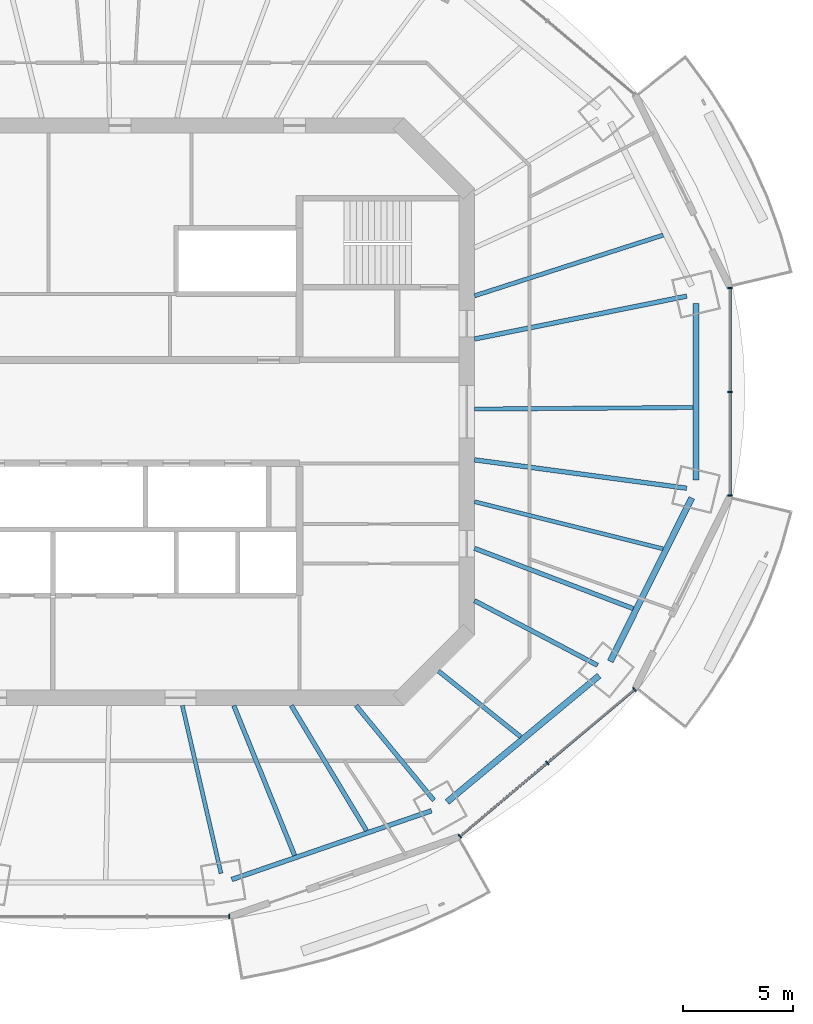
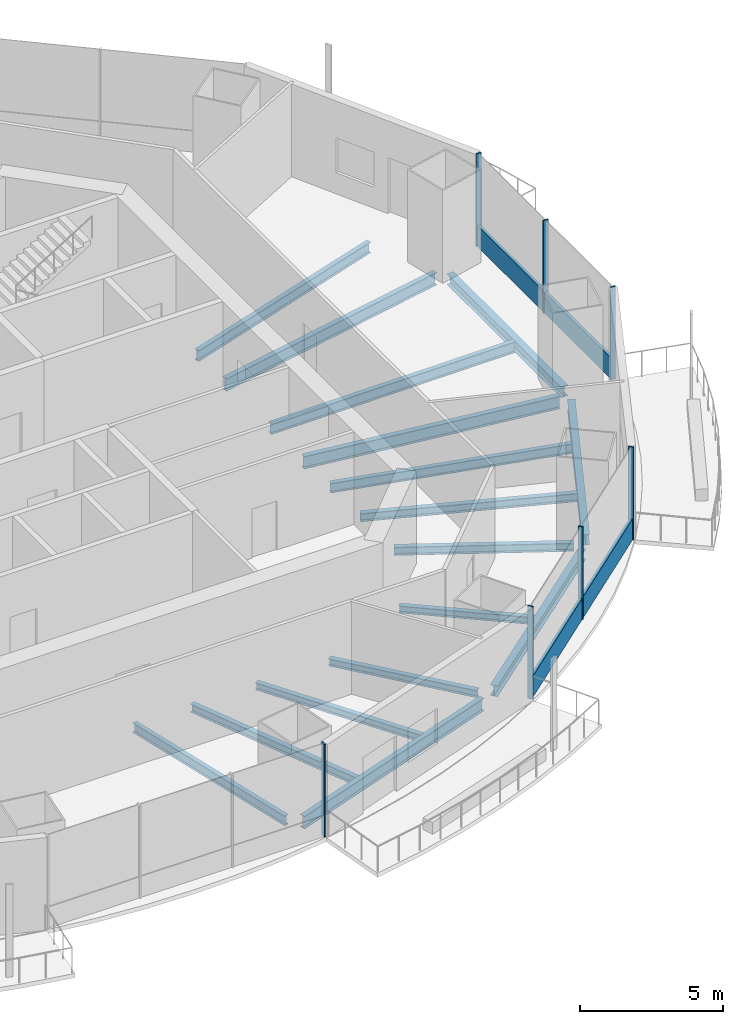
# One storey, part 4 of 16: 16 beams, 9 members, 3 elements without a shape of their own.
"""IFC4 building model written with IfcOpenShell, lengths in metres."""

from ifc_helpers import new_model, si_unit, direction, frame, origin, origin_2d, place, context, subcontext, project, spatial, rectangle, i_section, extrude, material, material_profile, profile_set, type_object, element, aggregate, save


model = new_model("IFC4")

# Units and contexts
model_context = context("Model", 3, precision=1e-05, world=origin(), true_north=direction((0.0, 1.0)))
body_context = subcontext(model_context, "Body", "Model", "MODEL_VIEW")
ifc_project = project(units=[si_unit("LENGTHUNIT", "METRE"), si_unit("AREAUNIT", "SQUARE_METRE"), si_unit("VOLUMEUNIT", "CUBIC_METRE"), si_unit("PLANEANGLEUNIT", "RADIAN"), si_unit("MASSUNIT", "GRAM", prefix="KILO")], contexts=[model_context])

# Site, building, storey
site_placement = place(None, origin())
site = spatial("IfcSite", under=ifc_project, at=site_placement, CompositionType="ELEMENT")
building_placement = place(site_placement, origin())
building = spatial("IfcBuilding", under=site, at=building_placement, Name="Marenthal Gate Tower", CompositionType="ELEMENT")
storey_placement = place(building_placement, frame((0.0, 0.0, 288.64990234375)))
storey = spatial("IfcBuildingStorey", under=building, at=storey_placement, Name="L64", CompositionType="ELEMENT", Elevation=288.64990234375)

# Curtain wall, member
ifc_material_1 = material(Name="Aluminium and glass", Category="aluminium")
curtain_wall_type = type_object("IfcCurtainWallType", Name="Curtain wall typical high", PredefinedType="NOTDEFINED", material=ifc_material_1)
curtain_wall_1_placement = place(storey_placement, origin())
curtain_wall_1 = element("IfcCurtainWall", 1, at=curtain_wall_1_placement, inside=storey, type_object=curtain_wall_type, Name="Curtain wall L64 bay 12", PredefinedType="NOTDEFINED")
ifc_material_2 = material(Name="Aluminium", Category="aluminium")
ifc_material_profile_1 = material_profile(ifc_material_2, rectangle(XDim=0.199951171875, YDim=0.06005859375, at=origin_2d()), Name="60x200 aluminium mullion")
ifc_profile_set_1 = profile_set([ifc_material_profile_1], Name="Aluminium")
member_type_1 = type_object("IfcMemberType", Name="Mullion 60x200 typical high", PredefinedType="MULLION", material=ifc_profile_set_1)
member_1_placement = place(storey_placement, frame((5.211669921875, -22.93603515625, 0.0), z_axis=(0.0, 0.0, 1.0), x_axis=(0.0, 1.0, 0.0)))
member_1 = element("IfcMember", 2, at=member_1_placement, type_object=member_type_1, Name="Mullion L64 bay 12.4", PredefinedType="MULLION", context=body_context, shape_type="SweptSolid", body=[
    extrude(rectangle(XDim=0.199951171875, YDim=0.06005859375, at=origin_2d()), origin(), (0.0, 0.0, 1.0), 3.97021484375),
])
aggregate(curtain_wall_1, [member_1])

# Curtain wall, members
curtain_wall_2_placement = place(storey_placement, origin())
curtain_wall_2 = element("IfcCurtainWall", 3, at=curtain_wall_2_placement, inside=storey, type_object=curtain_wall_type, Name="Curtain wall L64 bay 14", PredefinedType="NOTDEFINED")
member_2_placement = place(storey_placement, frame((15.68896484375, -19.287841796875, 0.0), z_axis=(0.0, 0.0, 1.0), x_axis=(-0.643380191367, 0.76554681722, 0.0)))
member_2 = element("IfcMember", 4, at=member_2_placement, type_object=member_type_1, Name="Mullion L64 bay 14.1", PredefinedType="MULLION", context=body_context, shape_type="SweptSolid", body=[
    extrude(rectangle(XDim=0.199951171875, YDim=0.06005859375, at=origin_2d()), origin(), (0.0, 0.0, 1.0), 3.97021484375),
])
member_3_placement = place(storey_placement, frame((19.6552734375, -15.95458984375, 0.0), z_axis=(0.0, 0.0, 1.0), x_axis=(-0.643380191367, 0.76554681722, 0.0)))
member_3 = element("IfcMember", 5, at=member_3_placement, type_object=member_type_1, Name="Mullion L64 bay 14.2", PredefinedType="MULLION", context=body_context, shape_type="SweptSolid", body=[
    extrude(rectangle(XDim=0.199951171875, YDim=0.06005859375, at=origin_2d()), origin(), (0.0, 0.0, 1.0), 3.97021484375),
])
member_4_placement = place(storey_placement, frame((23.621337890625, -12.621337890625, 0.0), z_axis=(0.0, 0.0, 1.0), x_axis=(-0.643380191367, 0.76554681722, 0.0)))
member_4 = element("IfcMember", 6, at=member_4_placement, type_object=member_type_1, Name="Mullion L64 bay 14.3", PredefinedType="MULLION", context=body_context, shape_type="SweptSolid", body=[
    extrude(rectangle(XDim=0.199951171875, YDim=0.06005859375, at=origin_2d()), origin(), (0.0, 0.0, 1.0), 3.97021484375),
])

curtain_wall_3_placement = place(storey_placement, origin())
curtain_wall_3 = element("IfcCurtainWall", 7, at=curtain_wall_3_placement, inside=storey, type_object=curtain_wall_type, Name="Curtain wall L64 bay 16", PredefinedType="NOTDEFINED")
member_5_placement = place(storey_placement, frame((27.96240234375, -3.811279296875, 0.0), z_axis=(0.0, 0.0, 1.0), x_axis=(-1.0, 0.0, 0.0)))
member_5 = element("IfcMember", 8, at=member_5_placement, type_object=member_type_1, Name="Mullion L64 bay 16.1", PredefinedType="MULLION", context=body_context, shape_type="SweptSolid", body=[
    extrude(rectangle(XDim=0.199951171875, YDim=0.06005859375, at=origin_2d()), origin(), (0.0, 0.0, 1.0), 3.97021484375),
])
member_6_placement = place(storey_placement, frame((27.96240234375, 0.89990234375, 0.0), z_axis=(0.0, 0.0, 1.0), x_axis=(-1.0, 0.0, 0.0)))
member_6 = element("IfcMember", 9, at=member_6_placement, type_object=member_type_1, Name="Mullion L64 bay 16.2", PredefinedType="MULLION", context=body_context, shape_type="SweptSolid", body=[
    extrude(rectangle(XDim=0.199951171875, YDim=0.06005859375, at=origin_2d()), origin(), (0.0, 0.0, 1.0), 3.97021484375),
])
member_7_placement = place(storey_placement, frame((27.96240234375, 5.611328125, 0.0), z_axis=(0.0, 0.0, 1.0), x_axis=(-1.0, 0.0, 0.0)))
member_7 = element("IfcMember", 10, at=member_7_placement, type_object=member_type_1, Name="Mullion L64 bay 16.3", PredefinedType="MULLION", context=body_context, shape_type="SweptSolid", body=[
    extrude(rectangle(XDim=0.199951171875, YDim=0.06005859375, at=origin_2d()), origin(), (0.0, 0.0, 1.0), 3.97021484375),
])

# Member
ifc_material_3 = material(Name="Aluminium", Category="aluminium")
ifc_material_profile_2 = material_profile(ifc_material_3, rectangle(XDim=0.1201171875, YDim=0.89990234375, at=origin_2d()), Name="120x900 aluminium transom")
ifc_profile_set_2 = profile_set([ifc_material_profile_2], Name="Aluminium")
member_type_2 = type_object("IfcMemberType", Name="Transom 120x900 typical high", PredefinedType="USERDEFINED", material=ifc_profile_set_2)
member_8_placement = place(storey_placement, frame((15.7119140625, -19.2685546875, 0.4501953125), z_axis=(0.765547508353, 0.643379368999, 0.0), x_axis=(-0.643379368999, 0.765547508353, 0.0)))
member_8 = element("IfcMember", 11, at=member_8_placement, type_object=member_type_2, Name="Transom L64 bay 14", ObjectType="TRANSOM", PredefinedType="USERDEFINED", context=body_context, shape_type="SweptSolid", body=[
    extrude(rectangle(XDim=0.1201171875, YDim=0.89990234375, at=origin_2d()), origin(), (0.0, 0.0, 1.0), 10.3017578125),
])

aggregate(curtain_wall_2, [member_2, member_3, member_4, member_8])

member_9_placement = place(storey_placement, frame((27.96240234375, -3.78125, 0.4501953125), z_axis=(0.0, 1.0, 0.0), x_axis=(-1.0, 0.0, 0.0)))
member_9 = element("IfcMember", 12, at=member_9_placement, type_object=member_type_2, Name="Transom L64 bay 16", ObjectType="TRANSOM", PredefinedType="USERDEFINED", context=body_context, shape_type="SweptSolid", body=[
    extrude(rectangle(XDim=0.1201171875, YDim=0.89990234375, at=origin_2d()), origin(), (0.0, 0.0, 1.0), 9.362548828125),
])

aggregate(curtain_wall_3, [member_5, member_6, member_7, member_9])

# Beams
ifc_material_4 = material(Name="Steel S355", Category="steel")
ifc_material_profile_3 = material_profile(ifc_material_4, i_section(OverallWidth=0.202880859375, OverallDepth=0.302001953125, WebThickness=0.007568359375, FlangeThickness=0.01318359375, FilletRadius=0.0126953125, at=origin_2d()), Name="W310X60")
ifc_profile_set_3 = profile_set([ifc_material_profile_3], Name="Steel S355")
beam_type_1 = type_object("IfcBeamType", Name="W310X60 beam", PredefinedType="BEAM", material=ifc_profile_set_3)
beam_1_placement = place(storey_placement, frame((18.4482421875, -14.77001953125, -0.330810546875), z_axis=(-0.780604808668, 0.625024905652, 0.0), x_axis=(-0.625024905652, -0.780604808668, 0.0)))
element("IfcBeam", 13, at=beam_1_placement, inside=storey, type_object=beam_type_1, Name="BM-L64-37", PredefinedType="BEAM", context=body_context, shape_type="SweptSolid", body=[
    extrude(i_section(OverallWidth=0.202880859375, OverallDepth=0.302001953125, WebThickness=0.007568359375, FlangeThickness=0.01318359375, FilletRadius=0.0126953125, at=origin_2d()), origin(), (0.0, 0.0, 1.0), 4.782958984375),
])
ifc_material_5 = material(Name="Steel S355", Category="steel")
ifc_material_profile_4 = material_profile(ifc_material_5, i_section(OverallWidth=0.205078125, OverallDepth=0.31005859375, WebThickness=0.009521484375, FlangeThickness=0.016357421875, FilletRadius=0.0126953125, at=origin_2d()), Name="W310X74")
ifc_profile_set_4 = profile_set([ifc_material_profile_4], Name="Steel S355")
beam_type_2 = type_object("IfcBeamType", Name="W310X74 beam", PredefinedType="BEAM", material=ifc_profile_set_4)
beam_2_placement = place(storey_placement, frame((14.508544921875, -17.6533203125, -0.3349609375), z_axis=(-0.634935690931, 0.772564992983, 0.0), x_axis=(-0.772564992983, -0.634935690931, 0.0)))
element("IfcBeam", 14, at=beam_2_placement, inside=storey, type_object=beam_type_2, Name="BM-L64-14", PredefinedType="BEAM", context=body_context, shape_type="SweptSolid", body=[
    extrude(i_section(OverallWidth=0.205078125, OverallDepth=0.31005859375, WebThickness=0.009521484375, FlangeThickness=0.016357421875, FilletRadius=0.0126953125, at=origin_2d()), origin(), (0.0, 0.0, 1.0), 5.570068359375),
])
beam_3_placement = place(storey_placement, frame((11.447509765625, -19.031494140625, -0.3349609375), z_axis=(-0.515453925401, 0.856917295186, 0.0), x_axis=(-0.856917295186, -0.515453925401, 0.0)))
element("IfcBeam", 15, at=beam_3_placement, inside=storey, type_object=beam_type_2, Name="BM-L64-36", PredefinedType="BEAM", context=body_context, shape_type="SweptSolid", body=[
    extrude(i_section(OverallWidth=0.205078125, OverallDepth=0.31005859375, WebThickness=0.009521484375, FlangeThickness=0.016357421875, FilletRadius=0.0126953125, at=origin_2d()), origin(), (0.0, 0.0, 1.0), 6.630126953125),
])
ifc_material_6 = material(Name="Steel S355", Category="steel")
ifc_material_profile_5 = material_profile(ifc_material_6, i_section(OverallWidth=0.205078125, OverallDepth=0.35302734375, WebThickness=0.009521484375, FlangeThickness=0.016845703125, FilletRadius=0.014892578125, at=origin_2d()), Name="W360X79")
ifc_profile_set_5 = profile_set([ifc_material_profile_5], Name="Steel S355")
beam_type_3 = type_object("IfcBeamType", Name="W360X79 beam", PredefinedType="BEAM", material=ifc_profile_set_5)
beam_4_placement = place(storey_placement, frame((21.938720703125, -11.518310546875, -0.3564453125), z_axis=(-0.885394321099, 0.464840721286, 0.0), x_axis=(-0.464840721286, -0.885394321099, 0.0)))
element("IfcBeam", 16, at=beam_4_placement, inside=storey, type_object=beam_type_3, Name="BM-L64-15", PredefinedType="BEAM", context=body_context, shape_type="SweptSolid", body=[
    extrude(i_section(OverallWidth=0.205078125, OverallDepth=0.35302734375, WebThickness=0.009521484375, FlangeThickness=0.016845703125, FilletRadius=0.014892578125, at=origin_2d()), origin(), (0.0, 0.0, 1.0), 6.31201171875),
])
beam_5_placement = place(storey_placement, frame((8.178466796875, -20.156982421875, -0.3564453125), z_axis=(-0.375987442767, 0.926624758401, 0.0), x_axis=(-0.926624758401, -0.375987442767, 0.0)))
element("IfcBeam", 17, at=beam_5_placement, inside=storey, type_object=beam_type_3, Name="BM-L64-35", PredefinedType="BEAM", context=body_context, shape_type="SweptSolid", body=[
    extrude(i_section(OverallWidth=0.205078125, OverallDepth=0.35302734375, WebThickness=0.009521484375, FlangeThickness=0.016845703125, FilletRadius=0.014892578125, at=origin_2d()), origin(), (0.0, 0.0, 1.0), 7.345947265625),
])
beam_6_placement = place(storey_placement, frame((23.560302734375, -8.944091796875, -0.3564453125), z_axis=(-0.934894325314, 0.354926190208, 0.0), x_axis=(-0.354926190208, -0.934894325314, 0.0)))
element("IfcBeam", 18, at=beam_6_placement, inside=storey, type_object=beam_type_3, Name="BM-L64-38", PredefinedType="BEAM", context=body_context, shape_type="SweptSolid", body=[
    extrude(i_section(OverallWidth=0.205078125, OverallDepth=0.35302734375, WebThickness=0.009521484375, FlangeThickness=0.016845703125, FilletRadius=0.014892578125, at=origin_2d()), origin(), (0.0, 0.0, 1.0), 7.71240234375),
])
ifc_material_7 = material(Name="Steel S355", Category="steel")
ifc_material_profile_6 = material_profile(ifc_material_7, i_section(OverallWidth=0.180908203125, OverallDepth=0.4169921875, WebThickness=0.010986328125, FlangeThickness=0.018310546875, FilletRadius=0.01025390625, at=origin_2d()), Name="W410X85")
ifc_profile_set_6 = profile_set([ifc_material_profile_6], Name="Steel S355")
beam_type_4 = type_object("IfcBeamType", Name="W410X85 beam", PredefinedType="BEAM", material=ifc_profile_set_6)
beam_7_placement = place(storey_placement, frame((4.83740234375, -20.970458984375, -0.388427734375), z_axis=(-0.224770586687, 0.974411711424, 0.0), x_axis=(-0.974411711424, -0.224770586687, 0.0)))
element("IfcBeam", 19, at=beam_7_placement, inside=storey, type_object=beam_type_4, Name="BM-L64-13", PredefinedType="BEAM", context=body_context, shape_type="SweptSolid", body=[
    extrude(i_section(OverallWidth=0.180908203125, OverallDepth=0.4169921875, WebThickness=0.010986328125, FlangeThickness=0.018310546875, FilletRadius=0.01025390625, at=origin_2d()), origin(), (0.0, 0.0, 1.0), 7.820556640625),
])
beam_8_placement = place(storey_placement, frame((24.91357421875, -6.228759765625, -0.388427734375), z_axis=(-0.970142500145, 0.242535625036, 0.0), x_axis=(-0.242535625036, -0.970142500145, 0.0)))
element("IfcBeam", 20, at=beam_8_placement, inside=storey, type_object=beam_type_4, Name="BM-L64-39", PredefinedType="BEAM", context=body_context, shape_type="SweptSolid", body=[
    extrude(i_section(OverallWidth=0.180908203125, OverallDepth=0.4169921875, WebThickness=0.010986328125, FlangeThickness=0.018310546875, FilletRadius=0.01025390625, at=origin_2d()), origin(), (0.0, 0.0, 1.0), 8.8271484375),
])
ifc_material_8 = material(Name="Steel S355", Category="steel")
ifc_material_profile_7 = material_profile(ifc_material_8, i_section(OverallWidth=0.279052734375, OverallDepth=0.4619140625, WebThickness=0.0107421875, FlangeThickness=0.017333984375, FilletRadius=0.010009765625, at=origin_2d()), Name="W460X113")
ifc_profile_set_7 = profile_set([ifc_material_profile_7], Name="Steel S355")
beam_type_5 = type_object("IfcBeamType", Name="W460X113 beam", PredefinedType="BEAM", material=ifc_profile_set_7)
beam_9_placement = place(storey_placement, frame((15.10791015625, -17.727783203125, -0.410888671875), z_axis=(0.769034611426, 0.639207138906, 0.0), x_axis=(-0.639207138906, 0.769034611426, 0.0)))
element("IfcBeam", 21, at=beam_9_placement, inside=storey, type_object=beam_type_5, Name="BM-L64-54", PredefinedType="BEAM", context=body_context, shape_type="SweptSolid", body=[
    extrude(i_section(OverallWidth=0.279052734375, OverallDepth=0.4619140625, WebThickness=0.0107421875, FlangeThickness=0.017333984375, FilletRadius=0.010009765625, at=origin_2d()), origin(), (0.0, 0.0, 1.0), 8.9736328125),
])
beam_10_placement = place(storey_placement, frame((22.5185546875, -11.34716796875, -0.410888671875), z_axis=(0.446025836929, 0.895020085133, 0.0), x_axis=(-0.895020085133, 0.446025836929, 0.0)))
element("IfcBeam", 22, at=beam_10_placement, inside=storey, type_object=beam_type_5, Name="BM-L64-55", PredefinedType="BEAM", context=body_context, shape_type="SweptSolid", body=[
    extrude(i_section(OverallWidth=0.279052734375, OverallDepth=0.4619140625, WebThickness=0.0107421875, FlangeThickness=0.017333984375, FilletRadius=0.010009765625, at=origin_2d()), origin(), (0.0, 0.0, 1.0), 8.306884765625),
])
beam_11_placement = place(storey_placement, frame((26.41259765625, -3.107666015625, -0.410888671875), z_axis=(0.0, 1.0, 0.0), x_axis=(-1.0, 0.0, 0.0)))
element("IfcBeam", 23, at=beam_11_placement, inside=storey, type_object=beam_type_5, Name="BM-L64-56", PredefinedType="BEAM", context=body_context, shape_type="SweptSolid", body=[
    extrude(i_section(OverallWidth=0.279052734375, OverallDepth=0.4619140625, WebThickness=0.0107421875, FlangeThickness=0.017333984375, FilletRadius=0.010009765625, at=origin_2d()), origin(), (0.0, 0.0, 1.0), 8.015380859375),
])
ifc_material_9 = material(Name="Steel S355", Category="steel")
ifc_material_profile_8 = material_profile(ifc_material_9, i_section(OverallWidth=0.193115234375, OverallDepth=0.467041015625, WebThickness=0.011474609375, FlangeThickness=0.01904296875, FilletRadius=0.010009765625, at=origin_2d()), Name="W460X97")
ifc_profile_set_8 = profile_set([ifc_material_profile_8], Name="Steel S355")
beam_type_6 = type_object("IfcBeamType", Name="W460X97 beam", PredefinedType="BEAM", material=ifc_profile_set_8)
beam_12_placement = place(storey_placement, frame((24.917724609375, 8.020263671875, -0.413330078125), z_axis=(-0.951901194781, -0.306405149068, 0.0), x_axis=(0.306405149068, -0.951901194781, 0.0)))
element("IfcBeam", 24, at=beam_12_placement, inside=storey, type_object=beam_type_6, Name="BM-L64-17", PredefinedType="BEAM", context=body_context, shape_type="SweptSolid", body=[
    extrude(i_section(OverallWidth=0.193115234375, OverallDepth=0.467041015625, WebThickness=0.011474609375, FlangeThickness=0.01904296875, FilletRadius=0.010009765625, at=origin_2d()), origin(), (0.0, 0.0, 1.0), 9.00048828125),
])
beam_13_placement = place(storey_placement, frame((26.273193359375, 0.189697265625, -0.413330078125), z_axis=(-0.999974017911, -0.007208571466, 0.0), x_axis=(0.007208571466, -0.999974017911, 0.0)))
element("IfcBeam", 25, at=beam_13_placement, inside=storey, type_object=beam_type_6, Name="BM-L64-40", PredefinedType="BEAM", context=body_context, shape_type="SweptSolid", body=[
    extrude(i_section(OverallWidth=0.193115234375, OverallDepth=0.467041015625, WebThickness=0.011474609375, FlangeThickness=0.01904296875, FilletRadius=0.010009765625, at=origin_2d()), origin(), (0.0, 0.0, 1.0), 9.92333984375),
])
ifc_material_10 = material(Name="Steel S355", Category="steel")
ifc_material_profile_9 = material_profile(ifc_material_10, i_section(OverallWidth=0.2099609375, OverallDepth=0.535888671875, WebThickness=0.010986328125, FlangeThickness=0.017333984375, FilletRadius=0.0126953125, at=origin_2d()), Name="W530X101")
ifc_profile_set_9 = profile_set([ifc_material_profile_9], Name="Steel S355")
beam_type_7 = type_object("IfcBeamType", Name="W530X101 beam", PredefinedType="BEAM", material=ifc_profile_set_9)
beam_14_placement = place(storey_placement, frame((25.99560546875, 5.248779296875, -0.447998046875), z_axis=(-0.980219271394, -0.197914577501, 0.0), x_axis=(0.197914577501, -0.980219271394, 0.0)))
element("IfcBeam", 26, at=beam_14_placement, inside=storey, type_object=beam_type_7, Name="BM-L64-01", PredefinedType="BEAM", context=body_context, shape_type="SweptSolid", body=[
    extrude(i_section(OverallWidth=0.2099609375, OverallDepth=0.535888671875, WebThickness=0.010986328125, FlangeThickness=0.017333984375, FilletRadius=0.0126953125, at=origin_2d()), origin(), (0.0, 0.0, 1.0), 9.840087890625),
])
beam_15_placement = place(storey_placement, frame((25.98681640625, -3.47607421875, -0.447998046875), z_axis=(-0.991171668427, 0.132584779319, 0.0), x_axis=(-0.132584779319, -0.991171668427, 0.0)))
element("IfcBeam", 27, at=beam_15_placement, inside=storey, type_object=beam_type_7, Name="BM-L64-16", PredefinedType="BEAM", context=body_context, shape_type="SweptSolid", body=[
    extrude(i_section(OverallWidth=0.2099609375, OverallDepth=0.535888671875, WebThickness=0.010986328125, FlangeThickness=0.017333984375, FilletRadius=0.0126953125, at=origin_2d()), origin(), (0.0, 0.0, 1.0), 9.72265625),
])
ifc_material_11 = material(Name="Steel S355", Category="steel")
ifc_material_profile_10 = material_profile(ifc_material_11, i_section(OverallWidth=0.2119140625, OverallDepth=0.5439453125, WebThickness=0.01318359375, FlangeThickness=0.021240234375, FilletRadius=0.0126953125, at=origin_2d()), Name="W530X123")
ifc_profile_set_10 = profile_set([ifc_material_profile_10], Name="Steel S355")
beam_type_8 = type_object("IfcBeamType", Name="W530X123 beam", PredefinedType="BEAM", material=ifc_profile_set_10)
beam_16_placement = place(storey_placement, frame((5.32373046875, -21.251953125, -0.451904296875), z_axis=(0.945528342473, 0.325539788013, 0.0), x_axis=(-0.325539788013, 0.945528342473, 0.0)))
element("IfcBeam", 28, at=beam_16_placement, inside=storey, type_object=beam_type_8, Name="BM-L64-53", PredefinedType="BEAM", context=body_context, shape_type="SweptSolid", body=[
    extrude(i_section(OverallWidth=0.2119140625, OverallDepth=0.5439453125, WebThickness=0.01318359375, FlangeThickness=0.021240234375, FilletRadius=0.0126953125, at=origin_2d()), origin(), (0.0, 0.0, 1.0), 9.595703125),
])

save(model, "model.ifc")
